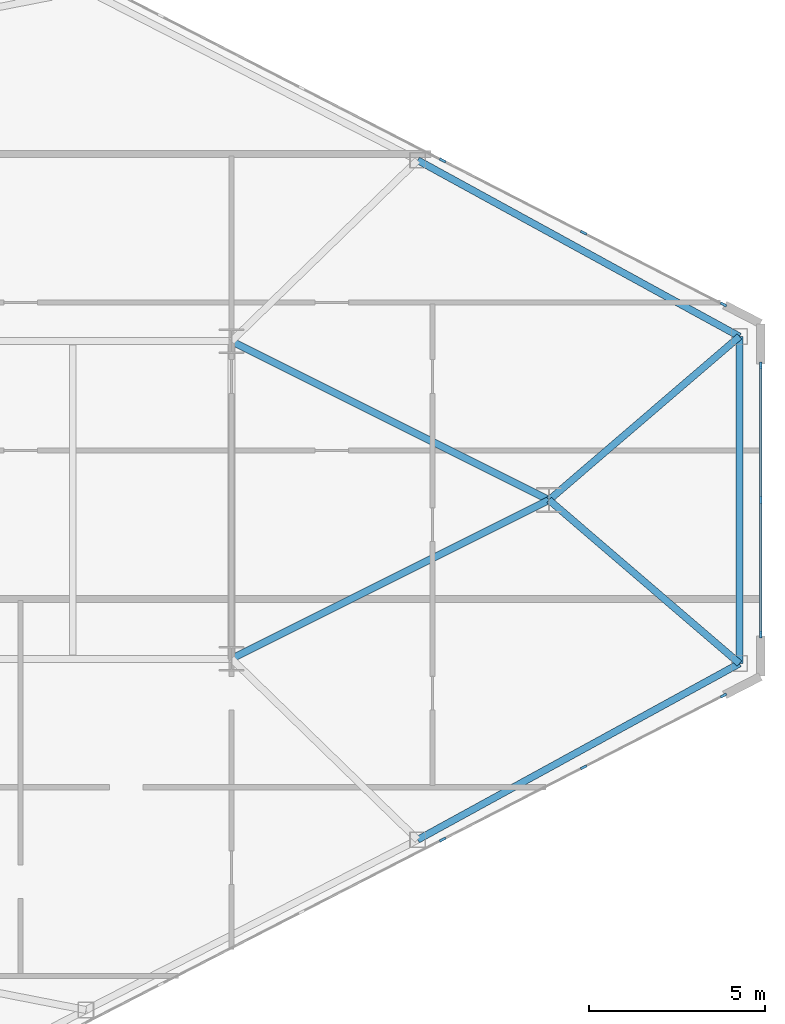
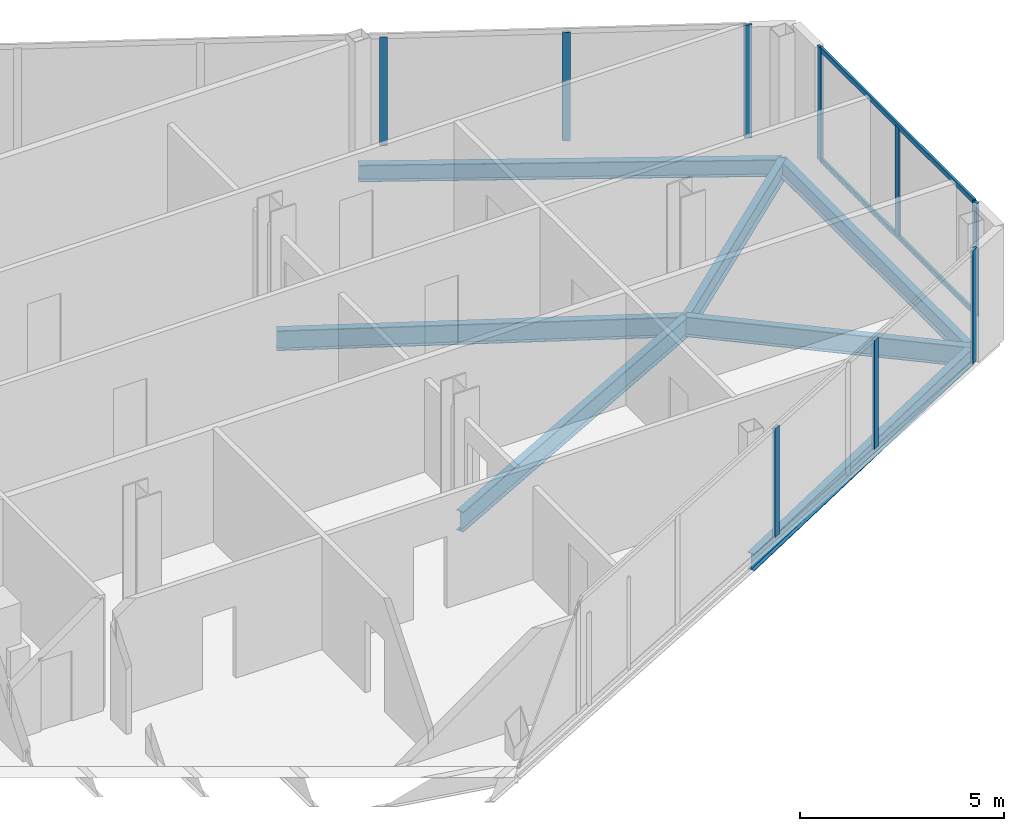
# One storey, part 13 of 24: 11 members, 7 beams, 3 elements without a shape of their own.
"""IFC4 building model written with IfcOpenShell, lengths in metres."""

from ifc_helpers import new_model, si_unit, direction, frame, origin, origin_2d, place, context, subcontext, project, spatial, rectangle, i_section, extrude, source, transform, mapped, material, layer, layer_set, material_profile, profile_set, type_object, type_shapes, element, aggregate, save


model = new_model("IFC4")

# Units and contexts
model_context = context("Model", 3, precision=1e-05, world=origin(), true_north=direction((0.0, 1.0)))
body_context = subcontext(model_context, "Body", "Model", "MODEL_VIEW")
ifc_project = project(units=[si_unit("LENGTHUNIT", "METRE"), si_unit("AREAUNIT", "SQUARE_METRE"), si_unit("VOLUMEUNIT", "CUBIC_METRE"), si_unit("PLANEANGLEUNIT", "RADIAN"), si_unit("MASSUNIT", "GRAM", prefix="KILO")], contexts=[model_context])

# Site, building, storey
site_placement = place(None, origin())
site = spatial("IfcSite", under=ifc_project, at=site_placement, CompositionType="ELEMENT")
building_placement = place(site_placement, origin())
building = spatial("IfcBuilding", under=site, at=building_placement, Name="Seokmaru Belvedere", CompositionType="ELEMENT")
storey_placement = place(building_placement, frame((0.0, 0.0, 121.199951171875)))
storey = spatial("IfcBuildingStorey", under=building, at=storey_placement, Name="L32", CompositionType="ELEMENT", Elevation=121.199951171875)

# Beams
ifc_material_1 = material(Name="Steel SM355 (355 MPa)", Category="steel")
ifc_material_profile_1 = material_profile(ifc_material_1, i_section(OverallWidth=0.199951171875, OverallDepth=0.60009765625, WebThickness=0.010986328125, FlangeThickness=0.01708984375, at=origin_2d()), Name="H-600x200x11x17")
ifc_profile_set_1 = profile_set([ifc_material_profile_1], Name="Steel SM355 (355 MPa)")
beam_type_1 = type_object("IfcBeamType", Name="Primary Floor Girder H-600", PredefinedType="BEAM", material=ifc_profile_set_1)
shared_shape_1 = source(origin(), body_context, "Body", "SweptSolid", [
    extrude(i_section(OverallWidth=0.199951171875, OverallDepth=0.60009765625, WebThickness=0.010986328125, FlangeThickness=0.01708984375, at=origin_2d()), origin(), (0.0, 0.0, 1.0), 10.062255859375),
])
for number, where, z_axis, x_axis, name in (
    (1, (54.5, -4.5, -0.52001953125), (0.894427191, 0.4472135955, 0.0), (-0.4472135955, 0.894427191, 0.0), "L32 E Apex Converging Girder 1"),
    (2, (54.5, 4.5, -0.52001953125), (0.894427191, -0.4472135955, 0.0), (0.4472135955, 0.894427191, 0.0), "L32 E Apex Converging Girder 2"),
):
    element("IfcBeam", number, at=place(storey_placement, frame(where, z_axis=z_axis, x_axis=x_axis)), inside=storey, type_object=beam_type_1, Name=name, PredefinedType="BEAM", context=body_context, shape_type="MappedRepresentation", body=[
        mapped(shared_shape_1, transform((0.0, 0.0, 0.0), scale=1.0)),
    ])
ifc_material_profile_2 = material_profile(ifc_material_1, i_section(OverallWidth=0.199951171875, OverallDepth=0.5, WebThickness=0.010009765625, FlangeThickness=0.01611328125, at=origin_2d()), Name="H-500x200x10x16")
ifc_profile_set_2 = profile_set([ifc_material_profile_2], Name="Steel SM355 (355 MPa)")
beam_type_2 = type_object("IfcBeamType", Name="Perimeter Spandrel Beam H-500", PredefinedType="SPANDREL", material=ifc_profile_set_2)
shared_shape_2 = source(origin(), body_context, "Body", "SweptSolid", [
    extrude(i_section(OverallWidth=0.199951171875, OverallDepth=0.5, WebThickness=0.010009765625, FlangeThickness=0.01611328125, at=origin_2d()), origin(), (0.0, 0.0, 1.0), 10.399658203125),
])
for number, where, z_axis, x_axis, name in (
    (3, (59.778564453125, -9.62890625, -0.469970703125), (0.877082374422, 0.480339992587, 0.0), (-0.480339992587, 0.877082374422, 0.0), "L32 E Faceted Flank Spandrel S-4"),
    (4, (59.778564453125, 9.62890625, -0.469970703125), (0.877082374422, -0.480339992587, 0.0), (0.480339992587, 0.877082374422, 0.0), "L32 E Faceted Flank Spandrel N-4"),
):
    element("IfcBeam", number, at=place(storey_placement, frame(where, z_axis=z_axis, x_axis=x_axis)), inside=storey, type_object=beam_type_2, Name=name, PredefinedType="SPANDREL", context=body_context, shape_type="MappedRepresentation", body=[
        mapped(shared_shape_2, transform((0.0, 0.0, 0.0), scale=1.0)),
    ])
shared_shape_3 = source(origin(), body_context, "Body", "SweptSolid", [
    extrude(i_section(OverallWidth=0.199951171875, OverallDepth=0.5, WebThickness=0.010009765625, FlangeThickness=0.01611328125, at=origin_2d()), origin(), (0.0, 0.0, 1.0), 9.26708984375),
])
type_shapes(beam_type_2, [shared_shape_2, shared_shape_3])
beam_placement = place(storey_placement, frame((68.89990234375, -4.633544921875, -0.469970703125), z_axis=(0.0, 1.0, 0.0), x_axis=(-1.0, 0.0, 0.0)))
element("IfcBeam", 5, at=beam_placement, inside=storey, type_object=beam_type_2, Name="L32 E Faceted Apex Spandrel", PredefinedType="SPANDREL", context=body_context, shape_type="MappedRepresentation", body=[
    mapped(shared_shape_3, transform((0.0, 0.0, 0.0), scale=1.0)),
])
shared_shape_4 = source(origin(), body_context, "Body", "SweptSolid", [
    extrude(i_section(OverallWidth=0.199951171875, OverallDepth=0.60009765625, WebThickness=0.010986328125, FlangeThickness=0.01708984375, at=origin_2d()), origin(), (0.0, 0.0, 1.0), 7.115478515625),
])
type_shapes(beam_type_1, [shared_shape_1, shared_shape_4])
for number, where, z_axis, x_axis, name in (
    (6, (68.89990234375, -4.633544921875, -0.52001953125), (-0.758905301881, 0.651201000289, 0.0), (-0.651201000289, -0.758905301881, 0.0), "L32 E Apex Radial Floor Girder 1"),
    (7, (68.89990234375, 4.633544921875, -0.52001953125), (-0.758905301881, -0.651201000289, 0.0), (0.651201000289, -0.758905301881, 0.0), "L32 E Apex Radial Floor Girder 2"),
):
    element("IfcBeam", number, at=place(storey_placement, frame(where, z_axis=z_axis, x_axis=x_axis)), inside=storey, type_object=beam_type_1, Name=name, PredefinedType="BEAM", context=body_context, shape_type="MappedRepresentation", body=[
        mapped(shared_shape_4, transform((0.0, 0.0, 0.0), scale=1.0)),
    ])

# Curtain wall, member
ifc_material_2 = material(Name="Bronze Triple Insulating Glass", Category="glass")
ifc_layer = layer(ifc_material_2, 0.195068359375)
ifc_layer_set = layer_set([ifc_layer], Name="Bronze Triple Insulating Glass")
curtain_wall_type = type_object("IfcCurtainWallType", Name="Sky-Lobby and Mid-Rise Curtain Wall System CW-4", PredefinedType="NOTDEFINED", material=ifc_layer_set)
curtain_wall_1_placement = place(storey_placement, origin())
curtain_wall_1 = element("IfcCurtainWall", 8, at=curtain_wall_1_placement, inside=storey, type_object=curtain_wall_type, Name="L32 Curtain Wall EF1", PredefinedType="NOTDEFINED")
ifc_material_3 = material(Name="Anodised Bronze Aluminium", Category="aluminium")
ifc_material_profile_3 = material_profile(ifc_material_3, rectangle(XDim=0.070068359375, YDim=0.195068359375, at=origin_2d()), Name="CW-M-70x195")
ifc_profile_set_3 = profile_set([ifc_material_profile_3], Name="Anodised Bronze Aluminium")
member_type_1 = type_object("IfcMemberType", Name="Bronze Unitised Mullion 70x195", PredefinedType="MULLION", material=ifc_profile_set_3)
shared_shape_5 = source(origin(), body_context, "Body", "SweptSolid", [
    extrude(rectangle(XDim=0.070068359375, YDim=0.195068359375, at=origin_2d()), origin(), (0.0, 0.0, 1.0), 3.380126953125),
])
member_1_placement = place(storey_placement, frame((68.44580078125, -5.541015625, 0.0), z_axis=(0.0, 0.0, 1.0), x_axis=(-0.456554528263, 0.889695432562, 0.0)))
member_1 = element("IfcMember", 9, at=member_1_placement, type_object=member_type_1, Name="CW:L32:EF1 Mullion 10", PredefinedType="MULLION", context=body_context, shape_type="MappedRepresentation", body=[
    mapped(shared_shape_5, transform((0.0, 0.0, 0.0), scale=1.0)),
])

# Curtain wall, members
curtain_wall_2_placement = place(storey_placement, origin())
curtain_wall_2 = element("IfcCurtainWall", 10, at=curtain_wall_2_placement, inside=storey, type_object=curtain_wall_type, Name="L32 Curtain Wall EF2", PredefinedType="NOTDEFINED")
member_2_placement = place(storey_placement, frame((69.5, -3.81494140625, 0.0), z_axis=(0.0, 0.0, 1.0), x_axis=(-1.0, 0.0, 0.0)))
member_2 = element("IfcMember", 11, at=member_2_placement, type_object=member_type_1, Name="CW:L32:EF2 Mullion 1", PredefinedType="MULLION", context=body_context, shape_type="MappedRepresentation", body=[
    mapped(shared_shape_5, transform((0.0, 0.0, 0.0), scale=1.0)),
])
member_3_placement = place(storey_placement, frame((69.5, 3.81494140625, 0.0), z_axis=(0.0, 0.0, 1.0), x_axis=(-1.0, 0.0, 0.0)))
member_3 = element("IfcMember", 12, at=member_3_placement, type_object=member_type_1, Name="CW:L32:EF2 Mullion 3", PredefinedType="MULLION", context=body_context, shape_type="MappedRepresentation", body=[
    mapped(shared_shape_5, transform((0.0, 0.0, 0.0), scale=1.0)),
])

# Curtain wall, member
curtain_wall_3_placement = place(storey_placement, origin())
curtain_wall_3 = element("IfcCurtainWall", 13, at=curtain_wall_3_placement, inside=storey, type_object=curtain_wall_type, Name="L32 Curtain Wall EF3", PredefinedType="NOTDEFINED")
member_4_placement = place(storey_placement, frame((68.44580078125, 5.541015625, 0.0), z_axis=(0.0, 0.0, 1.0), x_axis=(-0.456554528263, -0.889695432562, 0.0)))
member_4 = element("IfcMember", 14, at=member_4_placement, type_object=member_type_1, Name="CW:L32:EF3 Mullion 1", PredefinedType="MULLION", context=body_context, shape_type="MappedRepresentation", body=[
    mapped(shared_shape_5, transform((0.0, 0.0, 0.0), scale=1.0)),
])

# Member
shared_shape_6 = source(origin(), body_context, "Body", "SweptSolid", [
    extrude(rectangle(XDim=0.070068359375, YDim=0.195068359375, at=origin_2d()), origin(), (0.0, 0.0, 1.0), 3.25),
])
type_shapes(member_type_1, [shared_shape_5, shared_shape_6])
member_5_placement = place(storey_placement, frame((60.4873046875, -9.625, 0.06494140625), z_axis=(0.0, 0.0, 1.0), x_axis=(-0.456554528263, 0.889695432562, 0.0)))
member_5 = element("IfcMember", 15, at=member_5_placement, type_object=member_type_1, Name="CW:L32:EF1 Mullion 8", PredefinedType="MULLION", context=body_context, shape_type="MappedRepresentation", body=[
    mapped(shared_shape_6, transform((0.0, 0.0, 0.0), scale=1.0)),
])

member_6_placement = place(storey_placement, frame((64.48193359375, -7.574951171875, 0.06494140625), z_axis=(0.0, 0.0, 1.0), x_axis=(-0.456554528263, 0.889695432562, 0.0)))
member_6 = element("IfcMember", 16, at=member_6_placement, type_object=member_type_1, Name="CW:L32:EF1 Mullion 9", PredefinedType="MULLION", context=body_context, shape_type="MappedRepresentation", body=[
    mapped(shared_shape_6, transform((0.0, 0.0, 0.0), scale=1.0)),
])

aggregate(curtain_wall_1, [member_5, member_6, member_1])

member_7_placement = place(storey_placement, frame((69.5, 0.0, 0.06494140625), z_axis=(0.0, 0.0, 1.0), x_axis=(-1.0, 0.0, 0.0)))
member_7 = element("IfcMember", 17, at=member_7_placement, type_object=member_type_1, Name="CW:L32:EF2 Mullion 2", PredefinedType="MULLION", context=body_context, shape_type="MappedRepresentation", body=[
    mapped(shared_shape_6, transform((0.0, 0.0, 0.0), scale=1.0)),
])

member_8_placement = place(storey_placement, frame((64.48193359375, 7.574951171875, 0.06494140625), z_axis=(0.0, 0.0, 1.0), x_axis=(-0.456554528263, -0.889695432562, 0.0)))
member_8 = element("IfcMember", 18, at=member_8_placement, type_object=member_type_1, Name="CW:L32:EF3 Mullion 2", PredefinedType="MULLION", context=body_context, shape_type="MappedRepresentation", body=[
    mapped(shared_shape_6, transform((0.0, 0.0, 0.0), scale=1.0)),
])

member_9_placement = place(storey_placement, frame((60.4873046875, 9.625, 0.06494140625), z_axis=(0.0, 0.0, 1.0), x_axis=(-0.456554528263, -0.889695432562, 0.0)))
member_9 = element("IfcMember", 19, at=member_9_placement, type_object=member_type_1, Name="CW:L32:EF3 Mullion 3", PredefinedType="MULLION", context=body_context, shape_type="MappedRepresentation", body=[
    mapped(shared_shape_6, transform((0.0, 0.0, 0.0), scale=1.0)),
])

aggregate(curtain_wall_3, [member_4, member_8, member_9])

ifc_material_profile_4 = material_profile(ifc_material_3, rectangle(XDim=0.06494140625, YDim=0.14990234375, at=origin_2d()), Name="CW-T-65x150")
ifc_profile_set_4 = profile_set([ifc_material_profile_4], Name="Anodised Bronze Aluminium")
member_type_2 = type_object("IfcMemberType", Name="Bronze Unitised Transom 65x150", PredefinedType="USERDEFINED", material=ifc_profile_set_4)
shared_shape_7 = source(origin(), body_context, "Body", "SweptSolid", [
    extrude(rectangle(XDim=0.06494140625, YDim=0.14990234375, at=origin_2d()), origin(), (0.0, 0.0, 1.0), 7.56005859375),
])
type_shapes(member_type_2, [shared_shape_7])
member_10_placement = place(storey_placement, frame((69.5, -3.780029296875, 0.032470703125), z_axis=(0.0, 1.0, 0.0), x_axis=(-1.0, 0.0, 0.0)))
member_10 = element("IfcMember", 20, at=member_10_placement, type_object=member_type_2, Name="CW:L32:EF2 Continuous Transom 1", ObjectType="TRANSOM", PredefinedType="USERDEFINED", context=body_context, shape_type="MappedRepresentation", body=[
    mapped(shared_shape_7, transform((0.0, 0.0, 0.0), scale=1.0)),
])

member_11_placement = place(storey_placement, frame((69.5, -3.780029296875, 3.34765625), z_axis=(0.0, 1.0, 0.0), x_axis=(-1.0, 0.0, 0.0)))
member_11 = element("IfcMember", 21, at=member_11_placement, type_object=member_type_2, Name="CW:L32:EF2 Continuous Transom 2", ObjectType="TRANSOM", PredefinedType="USERDEFINED", context=body_context, shape_type="MappedRepresentation", body=[
    mapped(shared_shape_7, transform((0.0, 0.0, 0.0), scale=1.0)),
])

aggregate(curtain_wall_2, [member_2, member_7, member_3, member_10, member_11])

save(model, "model.ifc")
